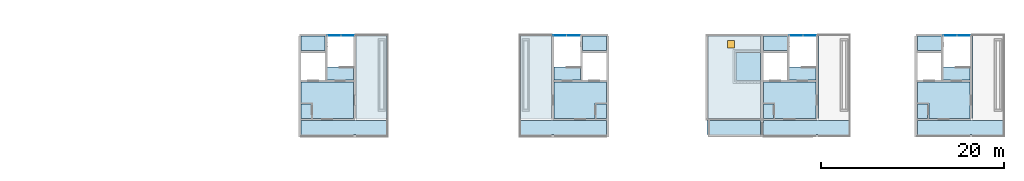
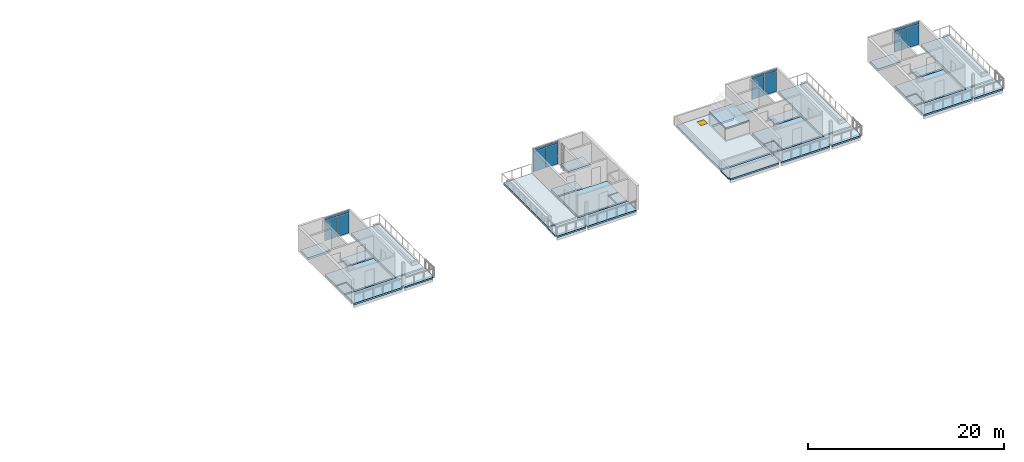
# One storey, part 20 of 33: 27 slabs, 16 plates, 1 door, 1 opening, 4 elements without a shape of their own.
"""IFC4 building model written with IfcOpenShell, lengths in metres."""

import ifcopenshell
import ifcopenshell.guid

model = None  # the IFC model being written
_history = None  # IfcOwnerHistory: only IFC2X3 demands one
_inside = {}  # id of a spatial element -> (the spatial element, [elements in it])
_under = {}  # id of a project, library or spatial element -> (it, [spatial elements below it])
_declared = {}  # id of a project -> (the project, [libraries it declares])
_typed = {}  # id of a type object -> (the type object, [elements of that type])
_made_of = {}  # id of a material, layer set ... -> (it, [elements and type objects made of it])


def new_model(schema):
    """Start an empty IFC model of exactly this schema.

    Asked for "IFC4X3", IfcOpenShell would pick the latest addendum, in which some entities
    have other attributes; the version numbers below select the first issue.
    IFC2X3 requires an IfcOwnerHistory on every rooted entity: one is made here for all.
    """
    global model, _history
    if schema == "IFC4X3":
        model = ifcopenshell.file(schema_version=(4, 3, 0, 0))
    else:
        model = ifcopenshell.file(schema=schema)
    _inside.clear()
    _under.clear()
    _declared.clear()
    _typed.clear()
    _made_of.clear()
    _history = None
    if model.schema == "IFC2X3":
        org = make("IfcOrganization", Name="unknown")
        user = make(
            "IfcPersonAndOrganization",
            ThePerson=make("IfcPerson", FamilyName="unknown"),
            TheOrganization=org,
        )
        app = make(
            "IfcApplication",
            ApplicationDeveloper=org,
            Version="unknown",
            ApplicationFullName="unknown",
            ApplicationIdentifier="unknown",
        )
        _history = make(
            "IfcOwnerHistory",
            OwningUser=user,
            OwningApplication=app,
            ChangeAction="ADDED",
            CreationDate=0,
        )
    return model


def make(cls, **values):
    """One entity of the class cls with the attributes given. An attribute that is None is left unset."""
    return model.create_entity(
        cls, **{name: value for name, value in values.items() if value is not None}
    )


def rooted(cls, **values):
    """An entity with a GlobalId (a new one), such as an element, a storey or a relation."""
    return make(cls, GlobalId=ifcopenshell.guid.new(), OwnerHistory=_history, **values)


def si_unit(unit_type, name, prefix=None):
    """IfcSIUnit, for example si_unit("LENGTHUNIT", "METRE", prefix="MILLI")."""
    return make("IfcSIUnit", UnitType=unit_type, Prefix=prefix, Name=name)


def assignment(units):
    """IfcUnitAssignment: the units of a project."""
    return None if units is None else make("IfcUnitAssignment", Units=units)


def point(xyz):
    """IfcCartesianPoint."""
    return None if xyz is None else make("IfcCartesianPoint", Coordinates=xyz)


def direction(xyz):
    """IfcDirection."""
    return None if xyz is None else make("IfcDirection", DirectionRatios=xyz)


def frame(location, z_axis=None, x_axis=None):
    """IfcAxis2Placement3D, a coordinate frame: its origin and axes. An axis left out is left unset."""
    return make(
        "IfcAxis2Placement3D",
        Location=point(location),
        Axis=direction(z_axis),
        RefDirection=direction(x_axis),
    )


def frame_2d(location, x_axis=None):
    """IfcAxis2Placement2D, a coordinate frame in the plane: its origin and x axis."""
    return make(
        "IfcAxis2Placement2D", Location=point(location), RefDirection=direction(x_axis)
    )


def origin():
    """The frame at (0, 0, 0) with its axes left unset."""
    return frame((0.0, 0.0, 0.0))


def origin_2d():
    """The frame at (0, 0) in the plane with its x axis left unset."""
    return frame_2d((0.0, 0.0))


def place(relative_to, where):
    """IfcLocalPlacement: puts the frame where relative to a parent placement (None: the world)."""
    return make(
        "IfcLocalPlacement", PlacementRelTo=relative_to, RelativePlacement=where
    )


def context(
    kind, dimensions, precision=None, world=None, true_north=None, identifier=None
):
    """IfcGeometricRepresentationContext, for example the 3D "Model" context."""
    return make(
        "IfcGeometricRepresentationContext",
        ContextIdentifier=identifier,
        ContextType=kind,
        CoordinateSpaceDimension=dimensions,
        Precision=precision,
        WorldCoordinateSystem=world,
        TrueNorth=true_north,
    )


def subcontext(parent, identifier, kind, view, scale=None):
    """IfcGeometricRepresentationSubContext, for example "Body" below "Model"."""
    return make(
        "IfcGeometricRepresentationSubContext",
        ContextIdentifier=identifier,
        ContextType=kind,
        ParentContext=parent,
        TargetScale=scale,
        TargetView=view,
    )


def project(units=None, contexts=None):
    """IfcProject with its units and contexts."""
    return rooted(
        "IfcProject",
        Name="project",
        RepresentationContexts=contexts,
        UnitsInContext=assignment(units),
    )


def spatial(cls, under=None, at=None, **own):
    """A site, building, storey or space (cls), placed at a placement, below another one or the project."""
    s = rooted(cls, ObjectPlacement=at, **own)
    if under is not None:
        _under.setdefault(under.id(), (under, []))[1].append(s)
    return s


def polyline(points):
    """IfcPolyline through the points."""
    return make("IfcPolyline", Points=[point(p) for p in points])


def profile(cls, at=None, kind="AREA", **sizes):
    """A parametric profile (cls). Its sizes go by their IFC names, for example OverallWidth=200.0."""
    return make(cls, ProfileType=kind, Position=at, **sizes)


def rectangle(**sizes):
    """IfcRectangleProfileDef."""
    return profile("IfcRectangleProfileDef", **sizes)


def outline(outer, holes=None, kind="AREA"):
    """IfcArbitraryClosedProfileDef: a profile drawn as a closed curve; with holes, ...WithVoids."""
    if holes is None:
        return make("IfcArbitraryClosedProfileDef", ProfileType=kind, OuterCurve=outer)
    return make(
        "IfcArbitraryProfileDefWithVoids",
        ProfileType=kind,
        OuterCurve=outer,
        InnerCurves=holes,
    )


def extrude(swept, where, along, depth):
    """IfcExtrudedAreaSolid: the profile swept, set in the frame where, extruded along a direction by depth."""
    return make(
        "IfcExtrudedAreaSolid",
        SweptArea=swept,
        Position=where,
        ExtrudedDirection=direction(along),
        Depth=depth,
    )


def shape(context_of_items, identifier, shape_type, items):
    """IfcShapeRepresentation: the items that make up one representation, for example the "Body"."""
    return make(
        "IfcShapeRepresentation",
        ContextOfItems=context_of_items,
        RepresentationIdentifier=identifier,
        RepresentationType=shape_type,
        Items=items,
    )


def material(Name=None, Category=None):
    """IfcMaterial."""
    return make("IfcMaterial", Name=Name, Category=Category)


def layer(
    of_material, thickness, ventilated=None, Name=None, Category=None, Priority=None
):
    """IfcMaterialLayer: one layer of a wall or slab, of a material (None: an air gap)."""
    return make(
        "IfcMaterialLayer",
        Material=of_material,
        LayerThickness=thickness,
        IsVentilated=ventilated,
        Name=Name,
        Category=Category,
        Priority=Priority,
    )


def layer_set(layers, Name=None):
    """IfcMaterialLayerSet."""
    return make("IfcMaterialLayerSet", MaterialLayers=layers, LayerSetName=Name)


def made_of(thing, what):
    """Note that an element or type object is made of a material, layer set ...; save() writes the relation."""
    if what is not None:
        _made_of.setdefault(what.id(), (what, []))[1].append(thing)
    return thing


def type_object(cls, material=None, **own):
    """A type object (cls), such as IfcWallType, which elements share."""
    return made_of(rooted(cls, **own), material)


def element(
    cls,
    number,
    at=None,
    inside=None,
    cuts=None,
    type_object=None,
    material=None,
    context=None,
    identifier="Body",
    shape_type=None,
    held_by="IfcProductDefinitionShape",
    body=None,
    shapes=None,
    **own,
):
    """One element of the class cls, such as IfcWall. Its Tag is "e" and its number.

    at: its placement. inside: the storey or other place that contains it. cuts: it is an
    opening in that element (IfcRelVoidsElement). A single representation is given by context,
    identifier, shape_type and body (its items); several are given by shapes. held_by: the class
    of the entity that holds the representations. save() writes the other relations.
    """
    e = rooted(cls, Tag="e%d" % number, ObjectPlacement=at, **own)
    if body is not None:
        shapes = [shape(context, identifier, shape_type, body)]
    if shapes is not None:
        e.Representation = make(held_by, Representations=shapes)
    if inside is not None:
        _inside.setdefault(inside.id(), (inside, []))[1].append(e)
    if cuts is not None:
        rooted(
            "IfcRelVoidsElement", RelatingBuildingElement=cuts, RelatedOpeningElement=e
        )
    if type_object is not None:
        _typed.setdefault(type_object.id(), (type_object, []))[1].append(e)
    return made_of(e, material)


def fill(opening, filler):
    """IfcRelFillsElement: the door or window that sits in an opening."""
    return rooted(
        "IfcRelFillsElement",
        RelatingOpeningElement=opening,
        RelatedBuildingElement=filler,
    )


def aggregate(whole, parts):
    """IfcRelAggregates: a whole, such as a stair, and the parts it consists of."""
    return rooted("IfcRelAggregates", RelatingObject=whole, RelatedObjects=parts)


def save(model, path):
    """Write the relations noted so far, then the file.

    IfcRelAggregates (storeys below a building ...), IfcRelContainedInSpatialStructure (elements
    in a storey), IfcRelDefinesByType, IfcRelAssociatesMaterial and IfcRelDeclares: one each for
    every whole, place, type object, material and project.
    """
    for whole, parts in _under.values():
        aggregate(whole, parts)
    for where, things in _inside.values():
        rooted(
            "IfcRelContainedInSpatialStructure",
            RelatedElements=things,
            RelatingStructure=where,
        )
    for kind, things in _typed.values():
        rooted("IfcRelDefinesByType", RelatedObjects=things, RelatingType=kind)
    for what, things in _made_of.values():
        rooted("IfcRelAssociatesMaterial", RelatedObjects=things, RelatingMaterial=what)
    for by, libraries in _declared.values():
        rooted("IfcRelDeclares", RelatingContext=by, RelatedDefinitions=libraries)
    model.write(path)


model = new_model("IFC4")

# Units and contexts
model_context = context("Model", 3, precision=1e-05, world=origin(), true_north=direction((0.0, 1.0)))
body_context = subcontext(model_context, "Body", "Model", "MODEL_VIEW")
ifc_project = project(units=[si_unit("LENGTHUNIT", "METRE"), si_unit("AREAUNIT", "SQUARE_METRE"), si_unit("VOLUMEUNIT", "CUBIC_METRE"), si_unit("PLANEANGLEUNIT", "RADIAN"), si_unit("MASSUNIT", "GRAM", prefix="KILO")], contexts=[model_context])

# Site, building, storey
site_placement = place(None, origin())
site = spatial("IfcSite", under=ifc_project, at=site_placement, CompositionType="ELEMENT")
building_placement = place(site_placement, origin())
building = spatial("IfcBuilding", under=site, at=building_placement, Name="Ridgestep Commons", CompositionType="ELEMENT")
storey_placement = place(building_placement, frame((0.0, 0.0, 42.0)))
storey = spatial("IfcBuildingStorey", under=building, at=storey_placement, Name="L14", CompositionType="ELEMENT", Elevation=42.0)

# Slabs
ifc_material_1 = material(Name="Precast concrete C40/50", Category="concrete")
ifc_layer_1 = layer(ifc_material_1, 0.199951171875)
ifc_layer_set_1 = layer_set([ifc_layer_1], Name="Gallery roof slab 200")
slab_type_1 = type_object("IfcSlabType", Name="Gallery roof slab 200", PredefinedType="ROOF", material=ifc_layer_set_1)
slab_1_placement = place(storey_placement, frame((0.0, 0.0, -0.199951171875)))
element("IfcSlab", 1, at=slab_1_placement, inside=storey, type_object=slab_type_1, Name="Gallery slab D4 L14", PredefinedType="ROOF", context=body_context, shape_type="SweptSolid", body=[
    extrude(outline(polyline([(208.0, 13.550048828125), (208.0, 12.0), (208.125, 12.0), (208.125, 11.75), (213.85009765625, 11.75), (213.85009765625, 13.550048828125), (208.0, 13.550048828125)])), origin(), (0.0, 0.0, 1.0), 0.199951171875),
])
ifc_material_2 = material(Name="Precast concrete C40/50", Category="concrete")
ifc_layer_2 = layer(ifc_material_2, 0.199951171875)
ifc_layer_set_2 = layer_set([ifc_layer_2], Name="Gallery slab 200")
slab_type_2 = type_object("IfcSlabType", Name="Gallery slab 200", PredefinedType="FLOOR", material=ifc_layer_set_2)
slab_2_placement = place(storey_placement, frame((0.0, 0.0, -0.199951171875)))
element("IfcSlab", 2, at=slab_2_placement, inside=storey, type_object=slab_type_2, Name="Gallery slab D2 L14", PredefinedType="FLOOR", context=body_context, shape_type="SweptSolid", body=[
    extrude(outline(polyline([(163.75, 13.550048828125), (163.75, 11.75), (169.47509765625, 11.75), (169.47509765625, 12.0), (169.72509765625, 12.0), (169.72509765625, 11.75), (173.074951171875, 11.75), (173.074951171875, 12.0), (173.199951171875, 12.0), (173.199951171875, 13.550048828125), (163.75, 13.550048828125)])), origin(), (0.0, 0.0, 1.0), 0.199951171875),
])
slab_3_placement = place(storey_placement, frame((0.0, 0.0, -0.199951171875)))
element("IfcSlab", 3, at=slab_3_placement, inside=storey, type_object=slab_type_2, Name="Gallery slab D3 L14", PredefinedType="FLOOR", context=body_context, shape_type="SweptSolid", body=[
    extrude(outline(polyline([(197.050048828125, 13.550048828125), (187.60009765625, 13.550048828125), (187.60009765625, 12.0), (187.72509765625, 12.0), (187.72509765625, 11.75), (191.074951171875, 11.75), (191.074951171875, 12.0), (191.324951171875, 12.0), (191.324951171875, 11.75), (197.050048828125, 11.75), (197.050048828125, 13.550048828125)])), origin(), (0.0, 0.0, 1.0), 0.199951171875),
])
slab_4_placement = place(storey_placement, frame((0.0, 0.0, -0.199951171875)))
element("IfcSlab", 4, at=slab_4_placement, inside=storey, type_object=slab_type_2, Name="Gallery slab D5 L14", PredefinedType="FLOOR", context=body_context, shape_type="SweptSolid", body=[
    extrude(outline(polyline([(214.14990234375, 13.550048828125), (214.14990234375, 11.75), (219.875, 11.75), (219.875, 12.0), (220.125, 12.0), (220.125, 11.75), (223.47509765625, 11.75), (223.47509765625, 12.0), (223.60009765625, 12.0), (223.60009765625, 13.550048828125), (214.14990234375, 13.550048828125)])), origin(), (0.0, 0.0, 1.0), 0.199951171875),
])
slab_5_placement = place(storey_placement, frame((0.0, 0.0, -0.199951171875)))
element("IfcSlab", 5, at=slab_5_placement, inside=storey, type_object=slab_type_2, Name="Gallery slab D6 L14", PredefinedType="FLOOR", context=body_context, shape_type="SweptSolid", body=[
    extrude(outline(polyline([(230.949951171875, 13.550048828125), (230.949951171875, 11.75), (236.675048828125, 11.75), (236.675048828125, 12.0), (236.925048828125, 12.0), (236.925048828125, 11.75), (240.27490234375, 11.75), (240.27490234375, 12.0), (240.39990234375, 12.0), (240.39990234375, 13.550048828125), (230.949951171875, 13.550048828125)])), origin(), (0.0, 0.0, 1.0), 0.199951171875),
])

# Curtain wall, plates
ifc_material_3 = material(Name="Aluminium 6063-T6 and glass", Category="aluminium")
curtain_wall_type = type_object("IfcCurtainWallType", Name="Curtain wall stair strip", PredefinedType="NOTDEFINED", material=ifc_material_3)
curtain_wall_1_placement = place(storey_placement, origin())
curtain_wall_1 = element("IfcCurtainWall", 6, at=curtain_wall_1_placement, inside=storey, type_object=curtain_wall_type, Name="Curtain wall D2C level 14", PredefinedType="NOTDEFINED")
ifc_material_4 = material(Name="Glass laminated 6/16/6 low-emissivity", Category="glass")
ifc_layer_3 = layer(ifc_material_4, 0.028076171875)
ifc_layer_set_3 = layer_set([ifc_layer_3], Name="Glazing panel 28")
plate_type_1 = type_object("IfcPlateType", Name="Glazing panel 28", PredefinedType="CURTAIN_PANEL", material=ifc_layer_set_3)
plate_1_placement = place(storey_placement, frame((167.34619140625, 22.830078125, 0.06005859375), z_axis=(0.0, 0.0, 1.0), x_axis=(1.0, 0.0, 0.0)))
plate_1 = element("IfcPlate", 7, at=plate_1_placement, type_object=plate_type_1, Name="CW1 panel 1.1", PredefinedType="CURTAIN_PANEL", context=body_context, shape_type="SweptSolid", body=[
    extrude(rectangle(XDim=1.422607421875, YDim=0.028076171875, at=origin_2d()), origin(), (0.0, 0.0, 1.0), 2.5),
])
plate_2_placement = place(storey_placement, frame((168.828857421875, 22.830078125, 0.06005859375), z_axis=(0.0, 0.0, 1.0), x_axis=(1.0, 0.0, 0.0)))
plate_2 = element("IfcPlate", 8, at=plate_2_placement, type_object=plate_type_1, Name="CW1 panel 2.1", PredefinedType="CURTAIN_PANEL", context=body_context, shape_type="SweptSolid", body=[
    extrude(rectangle(XDim=1.422607421875, YDim=0.028076171875, at=origin_2d()), origin(), (0.0, 0.0, 1.0), 2.5),
])

curtain_wall_2_placement = place(storey_placement, origin())
curtain_wall_2 = element("IfcCurtainWall", 9, at=curtain_wall_2_placement, inside=storey, type_object=curtain_wall_type, Name="Curtain wall D3C level 14", PredefinedType="NOTDEFINED")
plate_3_placement = place(storey_placement, frame((191.97119140625, 22.830078125, 0.06005859375), z_axis=(0.0, 0.0, 1.0), x_axis=(1.0, 0.0, 0.0)))
plate_3 = element("IfcPlate", 10, at=plate_3_placement, type_object=plate_type_1, Name="CW1 panel 1.1", PredefinedType="CURTAIN_PANEL", context=body_context, shape_type="SweptSolid", body=[
    extrude(rectangle(XDim=1.422607421875, YDim=0.028076171875, at=origin_2d()), origin(), (0.0, 0.0, 1.0), 2.5),
])
plate_4_placement = place(storey_placement, frame((193.453857421875, 22.830078125, 0.06005859375), z_axis=(0.0, 0.0, 1.0), x_axis=(1.0, 0.0, 0.0)))
plate_4 = element("IfcPlate", 11, at=plate_4_placement, type_object=plate_type_1, Name="CW1 panel 2.1", PredefinedType="CURTAIN_PANEL", context=body_context, shape_type="SweptSolid", body=[
    extrude(rectangle(XDim=1.422607421875, YDim=0.028076171875, at=origin_2d()), origin(), (0.0, 0.0, 1.0), 2.5),
])

curtain_wall_3_placement = place(storey_placement, origin())
curtain_wall_3 = element("IfcCurtainWall", 12, at=curtain_wall_3_placement, inside=storey, type_object=curtain_wall_type, Name="Curtain wall D5C level 14", PredefinedType="NOTDEFINED")
plate_5_placement = place(storey_placement, frame((217.746337890625, 22.830078125, 0.06005859375), z_axis=(0.0, 0.0, 1.0), x_axis=(1.0, 0.0, 0.0)))
plate_5 = element("IfcPlate", 13, at=plate_5_placement, type_object=plate_type_1, Name="CW1 panel 1.1", PredefinedType="CURTAIN_PANEL", context=body_context, shape_type="SweptSolid", body=[
    extrude(rectangle(XDim=1.422607421875, YDim=0.028076171875, at=origin_2d()), origin(), (0.0, 0.0, 1.0), 2.5),
])
plate_6_placement = place(storey_placement, frame((219.228759765625, 22.830078125, 0.06005859375), z_axis=(0.0, 0.0, 1.0), x_axis=(1.0, 0.0, 0.0)))
plate_6 = element("IfcPlate", 14, at=plate_6_placement, type_object=plate_type_1, Name="CW1 panel 2.1", PredefinedType="CURTAIN_PANEL", context=body_context, shape_type="SweptSolid", body=[
    extrude(rectangle(XDim=1.422607421875, YDim=0.028076171875, at=origin_2d()), origin(), (0.0, 0.0, 1.0), 2.5),
])

curtain_wall_4_placement = place(storey_placement, origin())
curtain_wall_4 = element("IfcCurtainWall", 15, at=curtain_wall_4_placement, inside=storey, type_object=curtain_wall_type, Name="Curtain wall D6C level 14", PredefinedType="NOTDEFINED")
plate_7_placement = place(storey_placement, frame((234.546142578125, 22.830078125, 0.06005859375), z_axis=(0.0, 0.0, 1.0), x_axis=(1.0, 0.0, 0.0)))
plate_7 = element("IfcPlate", 16, at=plate_7_placement, type_object=plate_type_1, Name="CW1 panel 1.1", PredefinedType="CURTAIN_PANEL", context=body_context, shape_type="SweptSolid", body=[
    extrude(rectangle(XDim=1.422607421875, YDim=0.028076171875, at=origin_2d()), origin(), (0.0, 0.0, 1.0), 2.5),
])
plate_8_placement = place(storey_placement, frame((236.02880859375, 22.830078125, 0.06005859375), z_axis=(0.0, 0.0, 1.0), x_axis=(1.0, 0.0, 0.0)))
plate_8 = element("IfcPlate", 17, at=plate_8_placement, type_object=plate_type_1, Name="CW1 panel 2.1", PredefinedType="CURTAIN_PANEL", context=body_context, shape_type="SweptSolid", body=[
    extrude(rectangle(XDim=1.422607421875, YDim=0.028076171875, at=origin_2d()), origin(), (0.0, 0.0, 1.0), 2.5),
])

# Slabs
ifc_material_5 = material(Name="Precast concrete C50/60", Category="concrete")
ifc_layer_4 = layer(ifc_material_5, 0.25)
ifc_layer_set_4 = layer_set([ifc_layer_4], Name="Hollow-core plank 250")
slab_type_3 = type_object("IfcSlabType", Name="Hollow-core plank 250", PredefinedType="FLOOR", material=ifc_layer_set_4)
slab_6_placement = place(storey_placement, frame((0.0, 0.0, -0.25)))
element("IfcSlab", 18, at=slab_6_placement, inside=storey, type_object=slab_type_3, Name="Floor plank D2C L14", PredefinedType="FLOOR", context=body_context, shape_type="SweptSolid", body=[
    extrude(outline(polyline([(165.0, 13.75), (169.47509765625, 13.75), (169.47509765625, 17.75), (163.75, 17.75), (163.75, 15.469970703125), (164.8798828125, 15.469970703125), (165.0, 15.469970703125), (165.0, 13.75)])), origin(), (0.0, 0.0, 1.0), 0.25),
])
slab_7_placement = place(storey_placement, frame((0.0, 0.0, -0.25)))
element("IfcSlab", 19, at=slab_7_placement, inside=storey, type_object=slab_type_3, Name="Floor plank D2C L14", PredefinedType="FLOOR", context=body_context, shape_type="SweptSolid", body=[
    extrude(outline(polyline([(166.375, 22.75), (163.75, 22.75), (163.75, 21.14990234375), (166.375, 21.14990234375), (166.375, 22.75)])), origin(), (0.0, 0.0, 1.0), 0.25),
])
slab_8_placement = place(storey_placement, frame((0.0, 0.0, -0.25)))
element("IfcSlab", 20, at=slab_8_placement, inside=storey, type_object=slab_type_3, Name="Floor plank D2C L14", PredefinedType="FLOOR", context=body_context, shape_type="SweptSolid", body=[
    extrude(outline(polyline([(169.47509765625, 17.949951171875), (169.47509765625, 19.35009765625), (166.574951171875, 19.35009765625), (166.574951171875, 17.949951171875), (169.47509765625, 17.949951171875)])), origin(), (0.0, 0.0, 1.0), 0.25),
])
slab_9_placement = place(storey_placement, frame((0.0, 0.0, -0.25)))
element("IfcSlab", 21, at=slab_9_placement, inside=storey, type_object=slab_type_3, Name="Floor plank D2C L14", PredefinedType="FLOOR", context=body_context, shape_type="SweptSolid", body=[
    extrude(outline(polyline([(164.8798828125, 15.35009765625), (163.75, 15.35009765625), (163.75, 13.75), (164.8798828125, 13.75), (164.8798828125, 15.35009765625)])), origin(), (0.0, 0.0, 1.0), 0.25),
])
slab_10_placement = place(storey_placement, frame((0.0, 0.0, -0.25)))
element("IfcSlab", 22, at=slab_10_placement, inside=storey, type_object=slab_type_3, Name="Floor plank D3C L14", PredefinedType="FLOOR", context=body_context, shape_type="SweptSolid", body=[
    extrude(outline(polyline([(195.919921875, 15.469970703125), (197.050048828125, 15.469970703125), (197.050048828125, 17.75), (191.324951171875, 17.75), (191.324951171875, 13.75), (195.800048828125, 13.75), (195.800048828125, 15.469970703125), (195.919921875, 15.469970703125)])), origin(), (0.0, 0.0, 1.0), 0.25),
])
slab_11_placement = place(storey_placement, frame((0.0, 0.0, -0.25)))
element("IfcSlab", 23, at=slab_11_placement, inside=storey, type_object=slab_type_3, Name="Floor plank D3C L14", PredefinedType="FLOOR", context=body_context, shape_type="SweptSolid", body=[
    extrude(outline(polyline([(197.050048828125, 21.14990234375), (197.050048828125, 22.75), (194.425048828125, 22.75), (194.425048828125, 21.14990234375), (197.050048828125, 21.14990234375)])), origin(), (0.0, 0.0, 1.0), 0.25),
])
slab_12_placement = place(storey_placement, frame((0.0, 0.0, -0.25)))
element("IfcSlab", 24, at=slab_12_placement, inside=storey, type_object=slab_type_3, Name="Floor plank D3C L14", PredefinedType="FLOOR", context=body_context, shape_type="SweptSolid", body=[
    extrude(outline(polyline([(194.22509765625, 17.949951171875), (194.22509765625, 19.35009765625), (191.324951171875, 19.35009765625), (191.324951171875, 17.949951171875), (194.22509765625, 17.949951171875)])), origin(), (0.0, 0.0, 1.0), 0.25),
])
slab_13_placement = place(storey_placement, frame((0.0, 0.0, -0.25)))
element("IfcSlab", 25, at=slab_13_placement, inside=storey, type_object=slab_type_3, Name="Floor plank D3C L14", PredefinedType="FLOOR", context=body_context, shape_type="SweptSolid", body=[
    extrude(outline(polyline([(195.919921875, 13.75), (197.050048828125, 13.75), (197.050048828125, 15.35009765625), (195.919921875, 15.35009765625), (195.919921875, 13.75)])), origin(), (0.0, 0.0, 1.0), 0.25),
])
slab_14_placement = place(storey_placement, frame((0.0, 0.0, -0.25)))
element("IfcSlab", 26, at=slab_14_placement, inside=storey, type_object=slab_type_3, Name="Floor plank D5C L14", PredefinedType="FLOOR", context=body_context, shape_type="SweptSolid", body=[
    extrude(outline(polyline([(215.39990234375, 13.75), (219.875, 13.75), (219.875, 17.75), (214.14990234375, 17.75), (214.14990234375, 15.469970703125), (215.280029296875, 15.469970703125), (215.39990234375, 15.469970703125), (215.39990234375, 13.75)])), origin(), (0.0, 0.0, 1.0), 0.25),
])
slab_15_placement = place(storey_placement, frame((0.0, 0.0, -0.25)))
element("IfcSlab", 27, at=slab_15_placement, inside=storey, type_object=slab_type_3, Name="Floor plank D5C L14", PredefinedType="FLOOR", context=body_context, shape_type="SweptSolid", body=[
    extrude(outline(polyline([(216.77490234375, 22.75), (214.14990234375, 22.75), (214.14990234375, 21.14990234375), (216.77490234375, 21.14990234375), (216.77490234375, 22.75)])), origin(), (0.0, 0.0, 1.0), 0.25),
])
slab_16_placement = place(storey_placement, frame((0.0, 0.0, -0.25)))
element("IfcSlab", 28, at=slab_16_placement, inside=storey, type_object=slab_type_3, Name="Floor plank D5C L14", PredefinedType="FLOOR", context=body_context, shape_type="SweptSolid", body=[
    extrude(outline(polyline([(219.875, 17.949951171875), (219.875, 19.35009765625), (216.97509765625, 19.35009765625), (216.97509765625, 17.949951171875), (219.875, 17.949951171875)])), origin(), (0.0, 0.0, 1.0), 0.25),
])
slab_17_placement = place(storey_placement, frame((0.0, 0.0, -0.25)))
element("IfcSlab", 29, at=slab_17_placement, inside=storey, type_object=slab_type_3, Name="Floor plank D5C L14", PredefinedType="FLOOR", context=body_context, shape_type="SweptSolid", body=[
    extrude(outline(polyline([(215.280029296875, 15.35009765625), (214.14990234375, 15.35009765625), (214.14990234375, 13.75), (215.280029296875, 13.75), (215.280029296875, 15.35009765625)])), origin(), (0.0, 0.0, 1.0), 0.25),
])
slab_18_placement = place(storey_placement, frame((0.0, 0.0, -0.25)))
element("IfcSlab", 30, at=slab_18_placement, inside=storey, type_object=slab_type_3, Name="Floor plank D6C L14", PredefinedType="FLOOR", context=body_context, shape_type="SweptSolid", body=[
    extrude(outline(polyline([(232.199951171875, 13.75), (236.675048828125, 13.75), (236.675048828125, 17.75), (230.949951171875, 17.75), (230.949951171875, 15.469970703125), (232.080078125, 15.469970703125), (232.199951171875, 15.469970703125), (232.199951171875, 13.75)])), origin(), (0.0, 0.0, 1.0), 0.25),
])
slab_19_placement = place(storey_placement, frame((0.0, 0.0, -0.25)))
element("IfcSlab", 31, at=slab_19_placement, inside=storey, type_object=slab_type_3, Name="Floor plank D6C L14", PredefinedType="FLOOR", context=body_context, shape_type="SweptSolid", body=[
    extrude(outline(polyline([(233.574951171875, 22.75), (230.949951171875, 22.75), (230.949951171875, 21.14990234375), (233.574951171875, 21.14990234375), (233.574951171875, 22.75)])), origin(), (0.0, 0.0, 1.0), 0.25),
])
slab_20_placement = place(storey_placement, frame((0.0, 0.0, -0.25)))
element("IfcSlab", 32, at=slab_20_placement, inside=storey, type_object=slab_type_3, Name="Floor plank D6C L14", PredefinedType="FLOOR", context=body_context, shape_type="SweptSolid", body=[
    extrude(outline(polyline([(236.675048828125, 17.949951171875), (236.675048828125, 19.35009765625), (233.77490234375, 19.35009765625), (233.77490234375, 17.949951171875), (236.675048828125, 17.949951171875)])), origin(), (0.0, 0.0, 1.0), 0.25),
])
slab_21_placement = place(storey_placement, frame((0.0, 0.0, -0.25)))
element("IfcSlab", 33, at=slab_21_placement, inside=storey, type_object=slab_type_3, Name="Floor plank D6C L14", PredefinedType="FLOOR", context=body_context, shape_type="SweptSolid", body=[
    extrude(outline(polyline([(232.080078125, 15.35009765625), (230.949951171875, 15.35009765625), (230.949951171875, 13.75), (232.080078125, 13.75), (232.080078125, 15.35009765625)])), origin(), (0.0, 0.0, 1.0), 0.25),
])
ifc_material_6 = material(Name="Precast concrete C50/60", Category="concrete")
ifc_layer_5 = layer(ifc_material_6, 0.199951171875)
ifc_layer_set_5 = layer_set([ifc_layer_5], Name="Overrun roof 200")
slab_type_4 = type_object("IfcSlabType", Name="Overrun roof 200", PredefinedType="ROOF", material=ifc_layer_set_5)
slab_22_placement = place(storey_placement, frame((0.0, 0.0, 1.5)))
element("IfcSlab", 34, at=slab_22_placement, inside=storey, type_object=slab_type_4, Name="Lift overrun roof D4C", PredefinedType="ROOF", context=body_context, shape_type="SweptSolid", body=[
    extrude(outline(polyline([(211.02490234375, 17.75), (213.85009765625, 17.75), (213.85009765625, 21.14990234375), (211.02490234375, 21.14990234375), (211.02490234375, 17.75)])), origin(), (0.0, 0.0, 1.0), 0.199951171875),
])
ifc_material_7 = material(Name="Precast concrete C50/60", Category="concrete")
ifc_layer_6 = layer(ifc_material_7, 0.25)
ifc_layer_set_6 = layer_set([ifc_layer_6], Name="Roof slab 250")
slab_type_5 = type_object("IfcSlabType", Name="Roof slab 250", PredefinedType="ROOF", material=ifc_layer_set_6)
slab_23_placement = place(storey_placement, frame((0.0, 0.0, -0.25)))
element("IfcSlab", 35, at=slab_23_placement, inside=storey, type_object=slab_type_5, Name="Terrace slab D2T3", PredefinedType="ROOF", context=body_context, shape_type="SweptSolid", body=[
    extrude(outline(polyline([(173.10009765625, 13.75), (173.10009765625, 22.75), (169.72509765625, 22.75), (169.72509765625, 13.75), (173.10009765625, 13.75)])), origin(), (0.0, 0.0, 1.0), 0.25),
])
slab_24_placement = place(storey_placement, frame((0.0, 0.0, -0.25)))
element("IfcSlab", 36, at=slab_24_placement, inside=storey, type_object=slab_type_5, Name="Terrace slab D3T3", PredefinedType="ROOF", context=body_context, shape_type="SweptSolid", body=[
    extrude(outline(polyline([(191.074951171875, 13.75), (191.074951171875, 22.75), (187.699951171875, 22.75), (187.699951171875, 13.75), (191.074951171875, 13.75)])), origin(), (0.0, 0.0, 1.0), 0.25),
])

# Slab, opening, door
slab_25_placement = place(storey_placement, frame((0.0, 0.0, -0.25)))
slab_25 = element("IfcSlab", 37, at=slab_25_placement, inside=storey, type_object=slab_type_5, Name="Roof slab D4C", PredefinedType="ROOF", context=body_context, shape_type="SweptSolid", body=[
    extrude(outline(polyline([(213.85009765625, 13.75), (213.85009765625, 17.949951171875), (211.22509765625, 17.949951171875), (211.22509765625, 20.949951171875), (213.85009765625, 20.949951171875), (213.85009765625, 22.75), (208.125, 22.75), (208.125, 13.75), (213.85009765625, 13.75)])), origin(), (0.0, 0.0, 1.0), 0.25),
])
opening_placement = place(slab_25_placement, frame((210.625, 21.85009765625, 0.0)))
opening = element("IfcOpeningElement", 38, at=opening_placement, cuts=slab_25, Name="Opening D4C/RF/1", PredefinedType="OPENING", context=body_context, shape_type="SweptSolid", body=[
    extrude(rectangle(XDim=0.800048828125, YDim=0.800048828125, at=origin_2d()), origin(), (0.0, 0.0, 1.0), 0.25),
])
ifc_material_8 = material(Name="Steel", Category="steel")
door_type = type_object("IfcDoorType", Name="Ladder roof hatch 800 x 800", OperationType="SINGLE_SWING_LEFT", PredefinedType="TRAPDOOR", material=ifc_material_8)
door_placement = place(opening_placement, frame((0.0, 0.0, 0.199951171875)))
door = element("IfcDoor", 39, at=door_placement, inside=storey, type_object=door_type, Name="Roof hatch D4C", OperationType="SINGLE_SWING_LEFT", OverallHeight=0.800048828125, OverallWidth=0.800048828125, PredefinedType="TRAPDOOR", context=body_context, shape_type="SweptSolid", body=[
    extrude(rectangle(XDim=0.800048828125, YDim=0.800048828125, at=origin_2d()), origin(), (0.0, 0.0, 1.0), 0.050048828125),
])
fill(opening, door)

# Slabs
slab_26_placement = place(storey_placement, frame((0.0, 0.0, -0.25)))
element("IfcSlab", 40, at=slab_26_placement, inside=storey, type_object=slab_type_5, Name="Terrace slab D5T3", PredefinedType="ROOF", context=body_context, shape_type="SweptSolid", body=[
    extrude(outline(polyline([(223.5, 13.75), (223.5, 22.75), (220.125, 22.75), (220.125, 13.75), (223.5, 13.75)])), origin(), (0.0, 0.0, 1.0), 0.25),
])
slab_27_placement = place(storey_placement, frame((0.0, 0.0, -0.25)))
element("IfcSlab", 41, at=slab_27_placement, inside=storey, type_object=slab_type_5, Name="Terrace slab D6T3", PredefinedType="ROOF", context=body_context, shape_type="SweptSolid", body=[
    extrude(outline(polyline([(240.300048828125, 13.75), (240.300048828125, 22.75), (236.925048828125, 22.75), (236.925048828125, 13.75), (240.300048828125, 13.75)])), origin(), (0.0, 0.0, 1.0), 0.25),
])

# Plate
ifc_material_9 = material(Name="Aluminium 6063-T6 and mineral wool", Category="aluminium")
ifc_layer_7 = layer(ifc_material_9, 0.0400390625)
ifc_layer_set_7 = layer_set([ifc_layer_7], Name="Spandrel panel 40")
plate_type_2 = type_object("IfcPlateType", Name="Spandrel panel 40", PredefinedType="CURTAIN_PANEL", material=ifc_layer_set_7)
plate_9_placement = place(storey_placement, frame((167.34619140625, 22.830078125, 2.6201171875), z_axis=(0.0, 0.0, 1.0), x_axis=(1.0, 0.0, 0.0)))
plate_9 = element("IfcPlate", 42, at=plate_9_placement, type_object=plate_type_2, Name="CW1 panel 1.2", PredefinedType="CURTAIN_PANEL", context=body_context, shape_type="SweptSolid", body=[
    extrude(rectangle(XDim=1.422607421875, YDim=0.0400390625, at=origin_2d()), origin(), (0.0, 0.0, 1.0), 0.320068359375),
])

plate_10_placement = place(storey_placement, frame((168.828857421875, 22.830078125, 2.6201171875), z_axis=(0.0, 0.0, 1.0), x_axis=(1.0, 0.0, 0.0)))
plate_10 = element("IfcPlate", 43, at=plate_10_placement, type_object=plate_type_2, Name="CW1 panel 2.2", PredefinedType="CURTAIN_PANEL", context=body_context, shape_type="SweptSolid", body=[
    extrude(rectangle(XDim=1.422607421875, YDim=0.0400390625, at=origin_2d()), origin(), (0.0, 0.0, 1.0), 0.320068359375),
])

aggregate(curtain_wall_1, [plate_1, plate_9, plate_2, plate_10])

plate_11_placement = place(storey_placement, frame((191.97119140625, 22.830078125, 2.6201171875), z_axis=(0.0, 0.0, 1.0), x_axis=(1.0, 0.0, 0.0)))
plate_11 = element("IfcPlate", 44, at=plate_11_placement, type_object=plate_type_2, Name="CW1 panel 1.2", PredefinedType="CURTAIN_PANEL", context=body_context, shape_type="SweptSolid", body=[
    extrude(rectangle(XDim=1.422607421875, YDim=0.0400390625, at=origin_2d()), origin(), (0.0, 0.0, 1.0), 0.320068359375),
])

plate_12_placement = place(storey_placement, frame((193.453857421875, 22.830078125, 2.6201171875), z_axis=(0.0, 0.0, 1.0), x_axis=(1.0, 0.0, 0.0)))
plate_12 = element("IfcPlate", 45, at=plate_12_placement, type_object=plate_type_2, Name="CW1 panel 2.2", PredefinedType="CURTAIN_PANEL", context=body_context, shape_type="SweptSolid", body=[
    extrude(rectangle(XDim=1.422607421875, YDim=0.0400390625, at=origin_2d()), origin(), (0.0, 0.0, 1.0), 0.320068359375),
])

aggregate(curtain_wall_2, [plate_3, plate_11, plate_4, plate_12])

plate_13_placement = place(storey_placement, frame((217.746337890625, 22.830078125, 2.6201171875), z_axis=(0.0, 0.0, 1.0), x_axis=(1.0, 0.0, 0.0)))
plate_13 = element("IfcPlate", 46, at=plate_13_placement, type_object=plate_type_2, Name="CW1 panel 1.2", PredefinedType="CURTAIN_PANEL", context=body_context, shape_type="SweptSolid", body=[
    extrude(rectangle(XDim=1.422607421875, YDim=0.0400390625, at=origin_2d()), origin(), (0.0, 0.0, 1.0), 0.320068359375),
])

plate_14_placement = place(storey_placement, frame((219.228759765625, 22.830078125, 2.6201171875), z_axis=(0.0, 0.0, 1.0), x_axis=(1.0, 0.0, 0.0)))
plate_14 = element("IfcPlate", 47, at=plate_14_placement, type_object=plate_type_2, Name="CW1 panel 2.2", PredefinedType="CURTAIN_PANEL", context=body_context, shape_type="SweptSolid", body=[
    extrude(rectangle(XDim=1.422607421875, YDim=0.0400390625, at=origin_2d()), origin(), (0.0, 0.0, 1.0), 0.320068359375),
])

aggregate(curtain_wall_3, [plate_5, plate_13, plate_6, plate_14])

plate_15_placement = place(storey_placement, frame((234.546142578125, 22.830078125, 2.6201171875), z_axis=(0.0, 0.0, 1.0), x_axis=(1.0, 0.0, 0.0)))
plate_15 = element("IfcPlate", 48, at=plate_15_placement, type_object=plate_type_2, Name="CW1 panel 1.2", PredefinedType="CURTAIN_PANEL", context=body_context, shape_type="SweptSolid", body=[
    extrude(rectangle(XDim=1.422607421875, YDim=0.0400390625, at=origin_2d()), origin(), (0.0, 0.0, 1.0), 0.320068359375),
])

plate_16_placement = place(storey_placement, frame((236.02880859375, 22.830078125, 2.6201171875), z_axis=(0.0, 0.0, 1.0), x_axis=(1.0, 0.0, 0.0)))
plate_16 = element("IfcPlate", 49, at=plate_16_placement, type_object=plate_type_2, Name="CW1 panel 2.2", PredefinedType="CURTAIN_PANEL", context=body_context, shape_type="SweptSolid", body=[
    extrude(rectangle(XDim=1.422607421875, YDim=0.0400390625, at=origin_2d()), origin(), (0.0, 0.0, 1.0), 0.320068359375),
])

aggregate(curtain_wall_4, [plate_7, plate_15, plate_8, plate_16])

save(model, "model.ifc")
